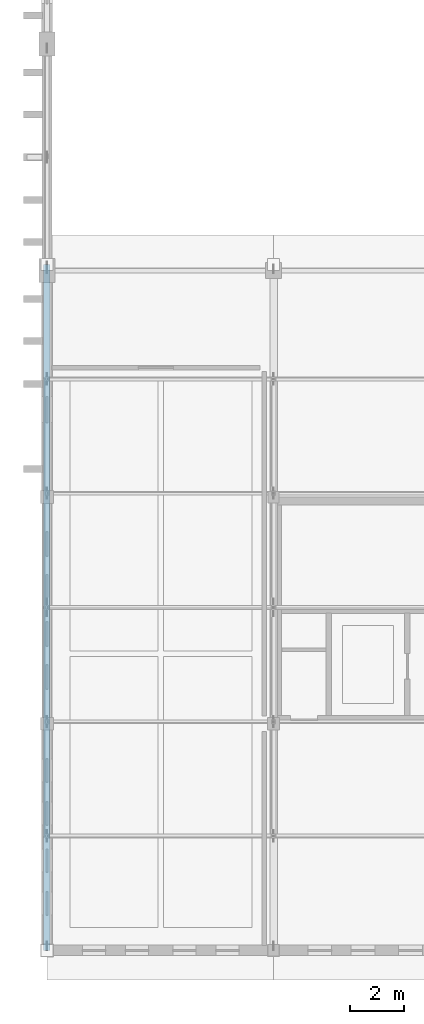
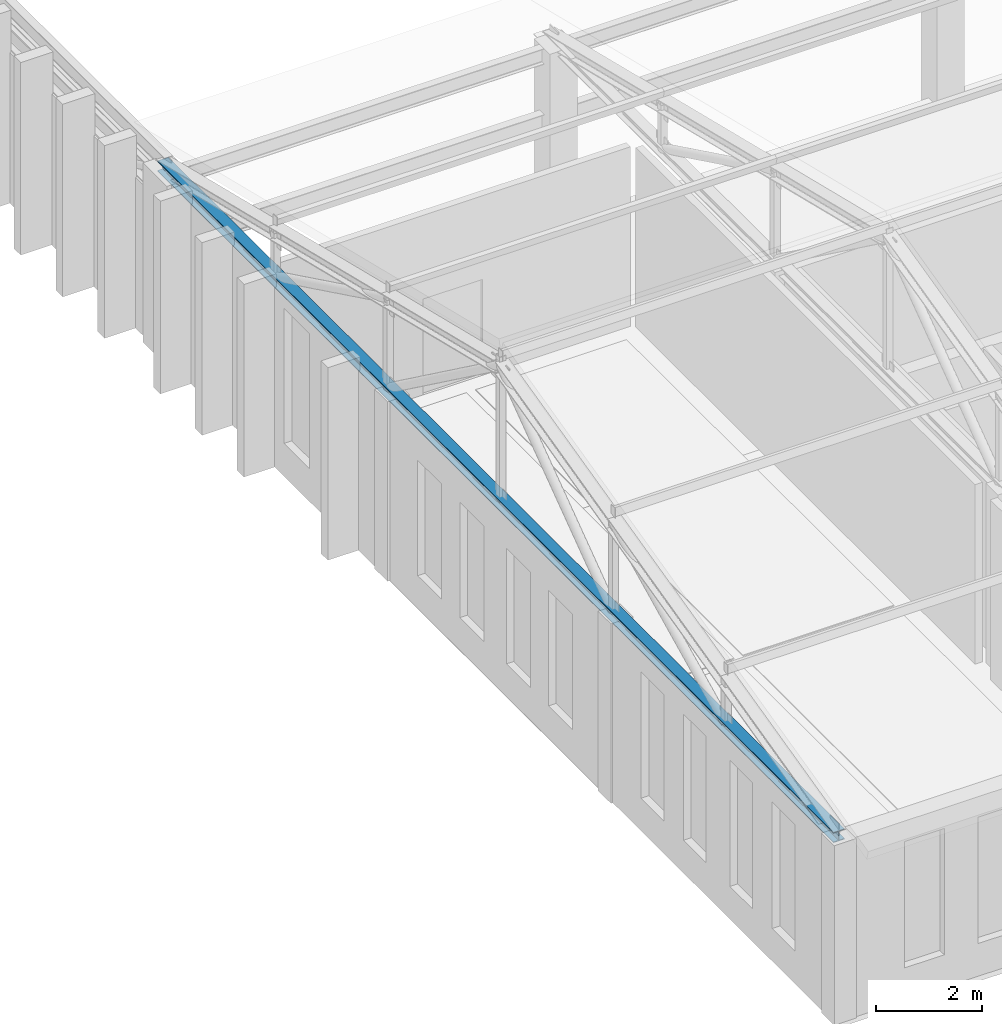
# One storey, part 14 of 192: 1 member.
"""IFC4 building model written with IfcOpenShell, lengths in metres."""

from ifc_helpers import new_model, si_unit, direction, frame, origin, origin_2d, place, context, subcontext, project, spatial, i_section, extrude, material, material_profile, profile_set, type_object, element, save


model = new_model("IFC4")

# Units and contexts
model_context = context("Model", 3, precision=1e-05, world=origin(), true_north=direction((0.0, 1.0)))
body_context = subcontext(model_context, "Body", "Model", "MODEL_VIEW")
ifc_project = project(units=[si_unit("LENGTHUNIT", "METRE"), si_unit("AREAUNIT", "SQUARE_METRE"), si_unit("VOLUMEUNIT", "CUBIC_METRE"), si_unit("PLANEANGLEUNIT", "RADIAN"), si_unit("MASSUNIT", "GRAM", prefix="KILO")], contexts=[model_context])

# Site, building, storey
site_placement = place(None, origin())
site = spatial("IfcSite", under=ifc_project, at=site_placement, CompositionType="ELEMENT")
building_placement = place(site_placement, origin())
building = spatial("IfcBuilding", under=site, at=building_placement, Name="Kveldsbrygga Polytechnic", CompositionType="ELEMENT")
storey_placement = place(building_placement, frame((0.0, 0.0, 5.43994140625)))
storey = spatial("IfcBuildingStorey", under=building, at=storey_placement, Name="L01", CompositionType="ELEMENT", Elevation=5.43994140625)

# Member
ifc_material = material(Name="Steel S355", Category="steel")
ifc_material_profile = material_profile(ifc_material, i_section(OverallWidth=0.239990234375, OverallDepth=0.239990234375, WebThickness=0.010009765625, FlangeThickness=0.01708984375, FilletRadius=0.02099609375, at=origin_2d()), Name="HEB 240")
ifc_profile_set = profile_set([ifc_material_profile], Name="Steel S355")
member_type = type_object("IfcMemberType", Name="TR-BOT-HEB240", PredefinedType="CHORD", material=ifc_profile_set)
member_placement = place(storey_placement, frame((0.0, 0.0, 4.1201171875), z_axis=(0.0, 1.0, 0.0), x_axis=(-1.0, 0.0, 0.0)))
element("IfcMember", 1, at=member_placement, inside=storey, type_object=member_type, Name="Truss Bottom Chord V5S-T01-BC-1", PredefinedType="CHORD", context=body_context, shape_type="SweptSolid", body=[
    extrude(i_section(OverallWidth=0.239990234375, OverallDepth=0.239990234375, WebThickness=0.010009765625, FlangeThickness=0.01708984375, FilletRadius=0.02099609375, at=origin_2d()), origin(), (0.0, 0.0, 1.0), 25.419921875),
])

save(model, "model.ifc")
